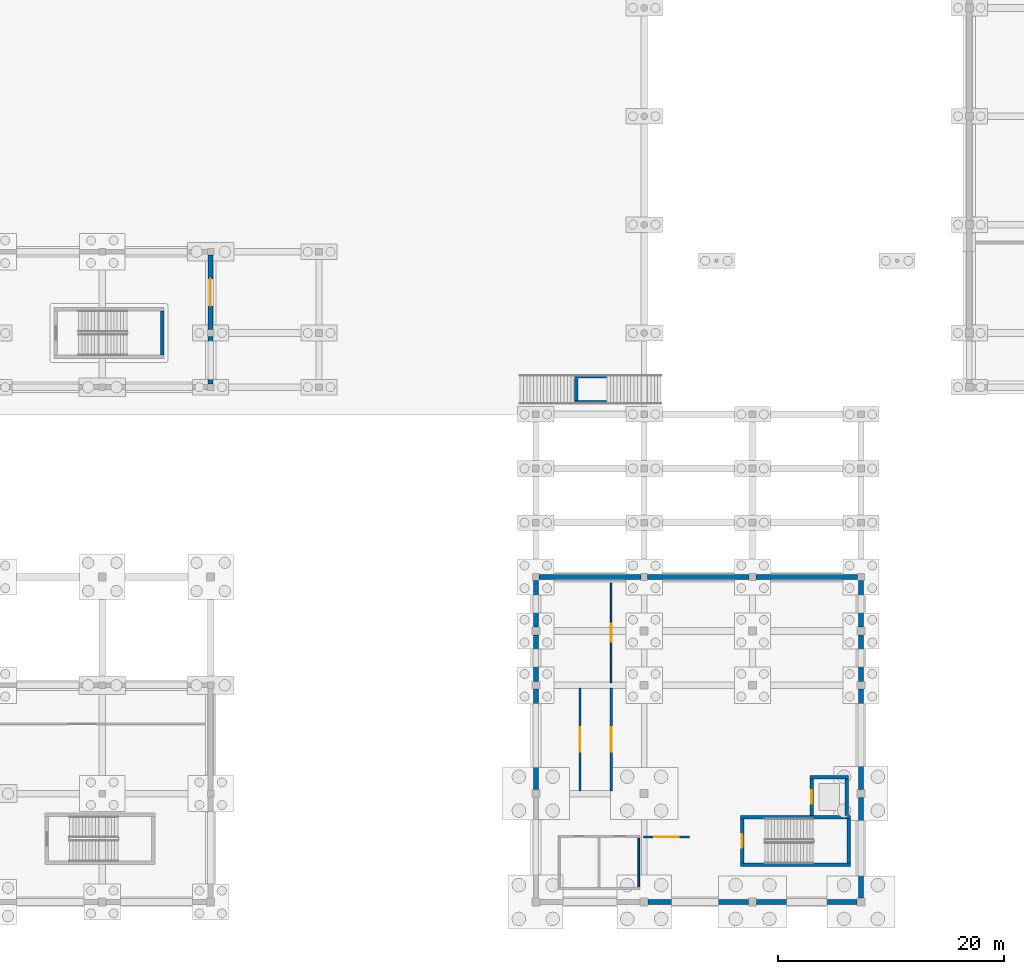
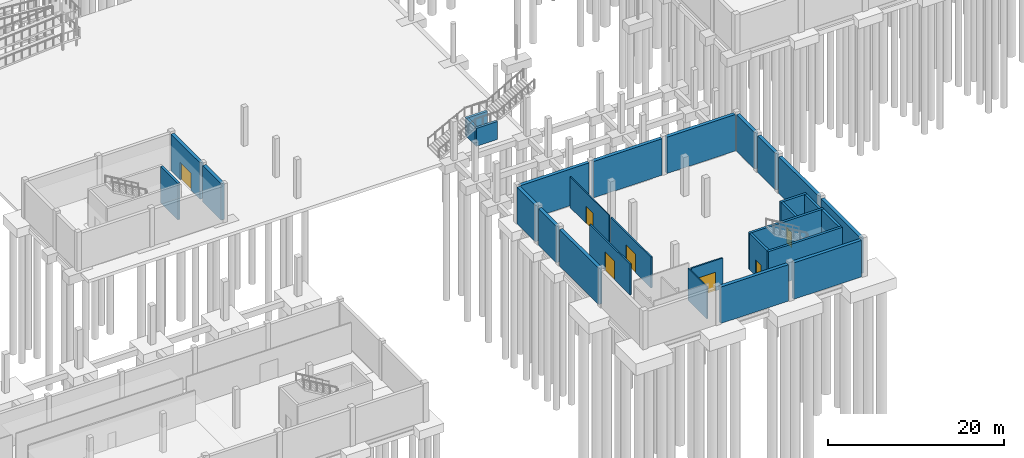
# One storey, part 24 of 41: 30 walls, 7 doors, 7 openings.
"""IFC4 building model written with IfcOpenShell, lengths in metres."""

from ifc_helpers import new_model, si_unit, direction, frame, frame_2d, origin, place, context, subcontext, project, spatial, rectangle, extrude, material, layer, layer_set, type_object, element, fill, save


model = new_model("IFC4")

# Units and contexts
model_context = context("Model", 3, precision=1e-05, world=origin(), true_north=direction((0.0, 1.0)))
body_context = subcontext(model_context, "Body", "Model", "MODEL_VIEW")
ifc_project = project(units=[si_unit("LENGTHUNIT", "METRE"), si_unit("AREAUNIT", "SQUARE_METRE"), si_unit("VOLUMEUNIT", "CUBIC_METRE"), si_unit("PLANEANGLEUNIT", "RADIAN"), si_unit("MASSUNIT", "GRAM", prefix="KILO")], contexts=[model_context])

# Site, building, storey
site_placement = place(None, origin())
site = spatial("IfcSite", under=ifc_project, at=site_placement, CompositionType="ELEMENT")
building_placement = place(site_placement, origin())
building = spatial("IfcBuilding", under=site, at=building_placement, Name="Shalvenor Court Art Gallery", CompositionType="ELEMENT")
storey_placement = place(building_placement, frame((0.0, 0.0, -5.39990234375)))
storey = spatial("IfcBuildingStorey", under=building, at=storey_placement, Name="B01", CompositionType="ELEMENT", Elevation=-5.39990234375)

# Walls
ifc_material_1 = material(Name="Concrete C40/50", Category="concrete")
ifc_layer_1 = layer(ifc_material_1, 0.31005859375, Name="Concrete C40/50")
ifc_layer_set_1 = layer_set([ifc_layer_1], Name="Concrete C40/50")
wall_type_1 = type_object("IfcWallType", Name="CW-W2", PredefinedType="SHEAR", material=ifc_layer_set_1)
wall_1_placement = place(storey_placement, frame((114.1279296875, 7.51708984375, 0.0), z_axis=(0.0, 0.0, 1.0), x_axis=(1.0, 0.0, 0.0)))
element("IfcWall", 1, at=wall_1_placement, inside=storey, type_object=wall_type_1, Name="B01 C4 Stair Core Shear Wall N", PredefinedType="SHEAR", context=body_context, shape_type="SweptSolid", body=[
    extrude(rectangle(XDim=9.744140625, YDim=0.31005859375, at=frame_2d((4.8720703125, 0.0))), origin(), (0.0, 0.0, 1.0), 5.059814453125),
])
wall_2_placement = place(storey_placement, frame((123.717041015625, 7.362060546875, 0.0), z_axis=(0.0, 0.0, 1.0), x_axis=(0.0, -1.0, 0.0)))
element("IfcWall", 2, at=wall_2_placement, inside=storey, type_object=wall_type_1, Name="B01 C4 Stair Core Shear Wall E", PredefinedType="SHEAR", context=body_context, shape_type="SweptSolid", body=[
    extrude(rectangle(XDim=3.924072265625, YDim=0.31005859375, at=frame_2d((1.9619140625, 0.0))), origin(), (0.0, 0.0, 1.0), 5.059814453125),
])
wall_3_placement = place(storey_placement, frame((123.8720703125, 3.282958984375, 0.0), z_axis=(0.0, 0.0, 1.0), x_axis=(-1.0, 0.0, 0.0)))
element("IfcWall", 3, at=wall_3_placement, inside=storey, type_object=wall_type_1, Name="B01 C4 Stair Core Shear Wall S", PredefinedType="SHEAR", context=body_context, shape_type="SweptSolid", body=[
    extrude(rectangle(XDim=9.744140625, YDim=0.31005859375, at=frame_2d((4.8720703125, 0.0))), origin(), (0.0, 0.0, 1.0), 5.059814453125),
])

# Wall, opening, door
wall_4_placement = place(storey_placement, frame((114.282958984375, 3.43798828125, 0.0), z_axis=(0.0, 0.0, 1.0), x_axis=(0.0, 1.0, 0.0)))
wall_4 = element("IfcWall", 4, at=wall_4_placement, inside=storey, type_object=wall_type_1, Name="B01 C4 Stair Core Shear Wall W", PredefinedType="SHEAR", context=body_context, shape_type="SweptSolid", body=[
    extrude(rectangle(XDim=3.924072265625, YDim=0.31005859375, at=frame_2d((1.9619140625, 0.0))), origin(), (0.0, 0.0, 1.0), 5.059814453125),
])
opening_1_placement = place(wall_4_placement, frame((1.362060546875, 0.0, 0.0)))
opening_1 = element("IfcOpeningElement", 5, at=opening_1_placement, cuts=wall_4, Name="Opening FD-01", PredefinedType="OPENING", context=body_context, shape_type="SweptSolid", body=[
    extrude(rectangle(XDim=1.199951171875, YDim=2.199951171875, at=frame_2d((0.60009765625, 1.10009765625))), frame((0.0, 0.1650390625, 0.0), z_axis=(0.0, -1.0, 0.0), x_axis=(1.0, 0.0, 0.0)), (0.0, 0.0, 1.0), 0.330078125),
])
ifc_material_2 = material(Name="Fire-rated steel stair doorset", Category="steel")
door_type_1 = type_object("IfcDoorType", Name="FD-01", OperationType="NOTDEFINED", PredefinedType="DOOR", material=ifc_material_2)
door_1_placement = place(opening_1_placement, origin())
door_1 = element("IfcDoor", 6, at=door_1_placement, inside=storey, type_object=door_type_1, Name="DR-ST-B01-C4 B01 ST-04 Fire Stair Door", OperationType="SINGLE_SWING_RIGHT", OverallHeight=2.199951171875, OverallWidth=1.199951171875, PredefinedType="DOOR", context=body_context, shape_type="SweptSolid", body=[
    extrude(rectangle(XDim=1.199951171875, YDim=2.199951171875, at=frame_2d((0.60009765625, 1.10009765625))), frame((0.0, 0.02490234375, 0.0), z_axis=(0.0, -1.0, 0.0), x_axis=(1.0, 0.0, 0.0)), (0.0, 0.0, 1.0), 0.050048828125),
])
fill(opening_1, door_1)

# Walls
wall_5_placement = place(storey_placement, frame((120.2900390625, 11.054931640625, 0.0), z_axis=(0.0, 0.0, 1.0), x_axis=(1.0, 0.0, 0.0)))
element("IfcWall", 7, at=wall_5_placement, inside=storey, type_object=wall_type_1, Name="B01 PL-02 Lift Shaft Wall N", PredefinedType="SHEAR", context=body_context, shape_type="SweptSolid", body=[
    extrude(rectangle(XDim=3.419921875, YDim=0.31005859375, at=frame_2d((1.7099609375, 0.0))), origin(), (0.0, 0.0, 1.0), 5.059814453125),
])
wall_6_placement = place(storey_placement, frame((123.554931640625, 10.89990234375, 0.0), z_axis=(0.0, 0.0, 1.0), x_axis=(0.0, -1.0, 0.0)))
element("IfcWall", 8, at=wall_6_placement, inside=storey, type_object=wall_type_1, Name="B01 PL-02 Lift Shaft Wall E", PredefinedType="SHEAR", context=body_context, shape_type="SweptSolid", body=[
    extrude(rectangle(XDim=3.227783203125, YDim=0.31005859375, at=frame_2d((1.61376953125, 0.0))), origin(), (0.0, 0.0, 1.0), 5.059814453125),
])

# Wall, opening, door
wall_7_placement = place(storey_placement, frame((120.445068359375, 7.672119140625, 0.0), z_axis=(0.0, 0.0, 1.0), x_axis=(0.0, 1.0, 0.0)))
wall_7 = element("IfcWall", 9, at=wall_7_placement, inside=storey, type_object=wall_type_1, Name="B01 PL-02 Lift Shaft Wall W", PredefinedType="SHEAR", context=body_context, shape_type="SweptSolid", body=[
    extrude(rectangle(XDim=3.227783203125, YDim=0.31005859375, at=frame_2d((1.61376953125, 0.0))), origin(), (0.0, 0.0, 1.0), 5.059814453125),
])
opening_2_placement = place(wall_7_placement, frame((1.013916015625, 0.0, 0.0)))
opening_2 = element("IfcOpeningElement", 10, at=opening_2_placement, cuts=wall_7, Name="Opening LD-02", PredefinedType="OPENING", context=body_context, shape_type="SweptSolid", body=[
    extrude(rectangle(XDim=1.199951171875, YDim=2.199951171875, at=frame_2d((0.60009765625, 1.10009765625))), frame((0.0, 0.1650390625, 0.0), z_axis=(0.0, -1.0, 0.0), x_axis=(1.0, 0.0, 0.0)), (0.0, 0.0, 1.0), 0.330078125),
])
ifc_material_3 = material(Name="Brushed stainless passenger lift sliding landing door", Category="steel")
door_type_2 = type_object("IfcDoorType", Name="LD-02", OperationType="NOTDEFINED", PredefinedType="DOOR", material=ifc_material_3)
door_2_placement = place(opening_2_placement, origin())
door_2 = element("IfcDoor", 11, at=door_2_placement, inside=storey, type_object=door_type_2, Name="DR-LD-B01-PL-02 B01 PL-02 Lift Landing Sliding Door", OperationType="DOUBLE_DOOR_SLIDING", OverallHeight=2.199951171875, OverallWidth=1.199951171875, PredefinedType="DOOR", context=body_context, shape_type="SweptSolid", body=[
    extrude(rectangle(XDim=1.199951171875, YDim=2.199951171875, at=frame_2d((0.60009765625, 1.10009765625))), frame((0.0, 0.02490234375, 0.0), z_axis=(0.0, -1.0, 0.0), x_axis=(1.0, 0.0, 0.0)), (0.0, 0.0, 1.0), 0.050048828125),
])
fill(opening_2, door_2)

# Walls
wall_8_placement = place(storey_placement, frame((62.9169921875, 52.362060546875, 0.0), z_axis=(0.0, 0.0, 1.0), x_axis=(0.0, -1.0, 0.0)))
element("IfcWall", 12, at=wall_8_placement, inside=storey, type_object=wall_type_1, Name="B01 C10 Stair Core Shear Wall E", PredefinedType="SHEAR", context=body_context, shape_type="SweptSolid", body=[
    extrude(rectangle(XDim=3.924072265625, YDim=0.31005859375, at=frame_2d((1.9619140625, 0.0))), origin(), (0.0, 0.0, 1.0), 5.059814453125),
])
ifc_material_4 = material(Name="Concrete C40/50", Category="concrete")
ifc_layer_2 = layer(ifc_material_4, 0.31005859375, Name="Concrete C40/50")
ifc_layer_set_2 = layer_set([ifc_layer_2], Name="Concrete C40/50")
wall_type_2 = type_object("IfcWallType", Name="CW-W4", PredefinedType="SHEAR", material=ifc_layer_set_2)
for number, where, z_axis, x_axis, name in (
    (13, (99.449951171875, 44.25, 0.0), (0.0, 0.0, 1.0), (1.0, 0.0, 0.0), "B01 ST-T1 Terrace Stair Support Pier S"),
    (14, (102.25, 46.550048828125, 0.0), (0.0, 0.0, 1.0), (-1.0, 0.0, 0.0), "B01 ST-T1 Terrace Stair Support Pier N"),
):
    element("IfcWall", number, at=place(storey_placement, frame(where, z_axis=z_axis, x_axis=x_axis)), inside=storey, type_object=wall_type_2, Name=name, PredefinedType="SHEAR", context=body_context, shape_type="SweptSolid", body=[
        extrude(rectangle(XDim=2.800048828125, YDim=0.31005859375, at=frame_2d((1.39990234375, 0.0))), origin(), (0.0, 0.0, 1.0), 2.48486328125),
    ])
wall_9_placement = place(storey_placement, frame((99.60009765625, 44.419921875, 0.0), z_axis=(0.0, 0.0, 1.0), x_axis=(0.0, 1.0, 0.0)))
element("IfcWall", 15, at=wall_9_placement, inside=storey, type_object=wall_type_2, Name="B01 ST-T1 Terrace Stair Support Pier W", PredefinedType="SHEAR", context=body_context, shape_type="SweptSolid", body=[
    extrude(rectangle(XDim=1.9599609375, YDim=0.31005859375, at=frame_2d((0.97998046875, 0.0))), origin(), (0.0, 0.0, 1.0), 2.48486328125),
])
ifc_material_5 = material(Name="Moisture-resistant sanitary partition", Category="other")
ifc_layer_3 = layer(ifc_material_5, 0.14990234375, Name="Moisture-resistant sanitary partition")
ifc_layer_set_3 = layer_set([ifc_layer_3], Name="Moisture-resistant sanitary partition")
wall_type_3 = type_object("IfcWallType", Name="PT-03", PredefinedType="PARTITIONING", material=ifc_layer_set_3)
wall_10_placement = place(storey_placement, frame((105.125, 1.360107421875, 0.0), z_axis=(0.0, 0.0, 1.0), x_axis=(0.0, 1.0, 0.0)))
element("IfcWall", 16, at=wall_10_placement, inside=storey, type_object=wall_type_3, Name="B01 C4 Restroom Partition R", PredefinedType="PARTITIONING", context=body_context, shape_type="SweptSolid", body=[
    extrude(rectangle(XDim=4.27978515625, YDim=0.14990234375, at=frame_2d((2.139892578125, 0.0))), origin(), (0.0, 0.0, 1.0), 4.434814453125),
])

# Wall, opening, door
ifc_material_6 = material(Name="Insulated studio acoustic partition", Category="other")
ifc_layer_4 = layer(ifc_material_6, 0.135009765625, Name="Insulated studio acoustic partition")
ifc_layer_set_4 = layer_set([ifc_layer_4], Name="Insulated studio acoustic partition")
wall_type_4 = type_object("IfcWallType", Name="PT-04", PredefinedType="PARTITIONING", material=ifc_layer_set_4)
wall_11_placement = place(storey_placement, frame((102.679931640625, 19.429931640625, 0.0), z_axis=(0.0, 0.0, 1.0), x_axis=(0.0, 1.0, 0.0)))
wall_11 = element("IfcWall", 17, at=wall_11_placement, inside=storey, type_object=wall_type_4, Name="B01 Mechanical Plant Room Partition 583", PredefinedType="PARTITIONING", context=body_context, shape_type="SweptSolid", body=[
    extrude(rectangle(XDim=8.820068359375, YDim=0.135009765625, at=frame_2d((4.41015625, 0.0))), origin(), (0.0, 0.0, 1.0), 4.284912109375),
])
opening_3_placement = place(wall_11_placement, frame((3.610107421875, 0.0, 0.0)))
opening_3 = element("IfcOpeningElement", 18, at=opening_3_placement, cuts=wall_11, Name="Opening ID-02", PredefinedType="OPENING", context=body_context, shape_type="SweptSolid", body=[
    extrude(rectangle(XDim=1.60009765625, YDim=2.35009765625, at=frame_2d((0.800048828125, 1.175048828125))), frame((0.0, 0.077392578125, 0.0), z_axis=(0.0, -1.0, 0.0), x_axis=(1.0, 0.0, 0.0)), (0.0, 0.0, 1.0), 0.155029296875),
])
ifc_material_7 = material(Name="Oak-veneered gallery double doorset", Category="wood")
door_type_3 = type_object("IfcDoorType", Name="ID-02", OperationType="NOTDEFINED", PredefinedType="DOOR", material=ifc_material_7)
door_3_placement = place(opening_3_placement, origin())
door_3 = element("IfcDoor", 19, at=door_3_placement, inside=storey, type_object=door_type_3, Name="DR-RM-B01-0114 B01 Mechanical Plant Room Door", OperationType="DOUBLE_DOOR_SINGLE_SWING", OverallHeight=2.35009765625, OverallWidth=1.60009765625, PredefinedType="DOOR", context=body_context, shape_type="SweptSolid", body=[
    extrude(rectangle(XDim=1.60009765625, YDim=2.35009765625, at=frame_2d((0.800048828125, 1.175048828125))), frame((0.0, 0.02490234375, 0.0), z_axis=(0.0, -1.0, 0.0), x_axis=(1.0, 0.0, 0.0)), (0.0, 0.0, 1.0), 0.050048828125),
])
fill(opening_3, door_3)

# Walls
ifc_material_8 = material(Name="Concrete C40/50", Category="concrete")
ifc_layer_5 = layer(ifc_material_8, 0.43994140625, Name="Concrete C40/50")
ifc_layer_set_5 = layer_set([ifc_layer_5], Name="Concrete C40/50")
wall_type_5 = type_object("IfcWallType", Name="RW-02", PredefinedType="USERDEFINED", material=ifc_layer_set_5)
for number, where, z_axis, x_axis, name in (
    (20, (96.300048828125, 28.800048828125, 0.0), (0.0, 0.0, 1.0), (1.0, 0.0, 0.0), "B01 Retaining Wall WL-B01-0164"),
    (21, (105.89990234375, 28.800048828125, 0.0), (0.0, 0.0, 1.0), (1.0, 0.0, 0.0), "B01 Retaining Wall WL-B01-0165"),
    (22, (115.5, 28.800048828125, 0.0), (0.0, 0.0, 1.0), (1.0, 0.0, 0.0), "B01 Retaining Wall WL-B01-0166"),
):
    element("IfcWall", number, at=place(storey_placement, frame(where, z_axis=z_axis, x_axis=x_axis)), inside=storey, type_object=wall_type_5, Name=name, ObjectType="RETAINING WALL", PredefinedType="USERDEFINED", context=body_context, shape_type="SweptSolid", body=[
        extrude(rectangle(XDim=9.0, YDim=0.43994140625, at=frame_2d((4.5, 0.0))), origin(), (0.0, 0.0, 1.0), 5.059814453125),
    ])
wall_12_placement = place(storey_placement, frame((124.800048828125, 28.5, 0.0), z_axis=(0.0, 0.0, 1.0), x_axis=(0.0, -1.0, 0.0)))
element("IfcWall", 23, at=wall_12_placement, inside=storey, type_object=wall_type_5, Name="B01 Retaining Wall WL-B01-0167", ObjectType="RETAINING WALL", PredefinedType="USERDEFINED", context=body_context, shape_type="SweptSolid", body=[
    extrude(rectangle(XDim=4.14990234375, YDim=0.43994140625, at=frame_2d((2.074951171875, 0.0))), origin(), (0.0, 0.0, 1.0), 5.059814453125),
])
wall_13_placement = place(storey_placement, frame((124.800048828125, 23.64990234375, 0.0), z_axis=(0.0, 0.0, 1.0), x_axis=(0.0, -1.0, 0.0)))
element("IfcWall", 24, at=wall_13_placement, inside=storey, type_object=wall_type_5, Name="B01 Retaining Wall WL-B01-0168", ObjectType="RETAINING WALL", PredefinedType="USERDEFINED", context=body_context, shape_type="SweptSolid", body=[
    extrude(rectangle(XDim=4.099853515625, YDim=0.43994140625, at=frame_2d((2.0498046875, 0.0))), origin(), (0.0, 0.0, 1.0), 5.059814453125),
])
wall_14_placement = place(storey_placement, frame((124.800048828125, 18.85009765625, 0.0), z_axis=(0.0, 0.0, 1.0), x_axis=(0.0, -1.0, 0.0)))
element("IfcWall", 25, at=wall_14_placement, inside=storey, type_object=wall_type_5, Name="B01 Retaining Wall WL-B01-0169", ObjectType="RETAINING WALL", PredefinedType="USERDEFINED", context=body_context, shape_type="SweptSolid", body=[
    extrude(rectangle(XDim=8.900146484375, YDim=0.43994140625, at=frame_2d((4.4501953125, 0.0))), origin(), (0.0, 0.0, 1.0), 5.059814453125),
])
for number, where, z_axis, x_axis, name in (
    (26, (124.800048828125, 9.25, 0.0), (0.0, 0.0, 1.0), (0.0, -1.0, 0.0), "B01 Retaining Wall WL-B01-0170"),
    (27, (124.449951171875, 0.0, 0.0), (0.0, 0.0, 1.0), (-1.0, 0.0, 0.0), "B01 Retaining Wall WL-B01-0171"),
):
    element("IfcWall", number, at=place(storey_placement, frame(where, z_axis=z_axis, x_axis=x_axis)), inside=storey, type_object=wall_type_5, Name=name, ObjectType="RETAINING WALL", PredefinedType="USERDEFINED", context=body_context, shape_type="SweptSolid", body=[
        extrude(rectangle(XDim=8.89990234375, YDim=0.43994140625, at=frame_2d((4.449951171875, 0.0))), origin(), (0.0, 0.0, 1.0), 5.059814453125),
    ])
for number, where, z_axis, x_axis, name in (
    (28, (114.85009765625, 0.0, 0.0), (0.0, 0.0, 1.0), (-1.0, 0.0, 0.0), "B01 Retaining Wall WL-B01-0172"),
    (29, (96.0, 9.949951171875, 0.0), (0.0, 0.0, 1.0), (0.0, 1.0, 0.0), "B01 Retaining Wall WL-B01-0175"),
):
    element("IfcWall", number, at=place(storey_placement, frame(where, z_axis=z_axis, x_axis=x_axis)), inside=storey, type_object=wall_type_5, Name=name, ObjectType="RETAINING WALL", PredefinedType="USERDEFINED", context=body_context, shape_type="SweptSolid", body=[
        extrude(rectangle(XDim=8.900146484375, YDim=0.43994140625, at=frame_2d((4.4501953125, 0.0))), origin(), (0.0, 0.0, 1.0), 5.059814453125),
    ])
wall_15_placement = place(storey_placement, frame((96.0, 19.550048828125, 0.0), z_axis=(0.0, 0.0, 1.0), x_axis=(0.0, 1.0, 0.0)))
element("IfcWall", 30, at=wall_15_placement, inside=storey, type_object=wall_type_5, Name="B01 Retaining Wall WL-B01-0176", ObjectType="RETAINING WALL", PredefinedType="USERDEFINED", context=body_context, shape_type="SweptSolid", body=[
    extrude(rectangle(XDim=4.099853515625, YDim=0.43994140625, at=frame_2d((2.0498046875, 0.0))), origin(), (0.0, 0.0, 1.0), 5.059814453125),
])
wall_16_placement = place(storey_placement, frame((96.0, 24.35009765625, 0.0), z_axis=(0.0, 0.0, 1.0), x_axis=(0.0, 1.0, 0.0)))
element("IfcWall", 31, at=wall_16_placement, inside=storey, type_object=wall_type_5, Name="B01 Retaining Wall WL-B01-0177", ObjectType="RETAINING WALL", PredefinedType="USERDEFINED", context=body_context, shape_type="SweptSolid", body=[
    extrude(rectangle(XDim=4.14990234375, YDim=0.43994140625, at=frame_2d((2.074951171875, 0.0))), origin(), (0.0, 0.0, 1.0), 5.059814453125),
])

# Wall, opening, door
wall_17_placement = place(storey_placement, frame((67.199951171875, 57.300048828125, 0.0), z_axis=(0.0, 0.0, 1.0), x_axis=(0.0, -1.0, 0.0)))
wall_17 = element("IfcWall", 32, at=wall_17_placement, inside=storey, type_object=wall_type_5, Name="B01 Retaining Wall WL-B01-0322", ObjectType="RETAINING WALL", PredefinedType="USERDEFINED", context=body_context, shape_type="SweptSolid", body=[
    extrude(rectangle(XDim=6.60009765625, YDim=0.43994140625, at=frame_2d((3.300048828125, 0.0))), origin(), (0.0, 0.0, 1.0), 5.059814453125),
])
opening_4_placement = place(wall_17_placement, frame((2.10009765625, 0.0, 0.0)))
opening_4 = element("IfcOpeningElement", 33, at=opening_4_placement, cuts=wall_17, Name="Opening ED-02", PredefinedType="OPENING", context=body_context, shape_type="SweptSolid", body=[
    extrude(rectangle(XDim=2.39990234375, YDim=2.39990234375, at=frame_2d((1.199951171875, 1.199951171875))), frame((0.0, 0.22998046875, 0.0), z_axis=(0.0, -1.0, 0.0), x_axis=(1.0, 0.0, 0.0)), (0.0, 0.0, 1.0), 0.4599609375),
])
ifc_material_9 = material(Name="Anodised bronze glazed exit doorset", Category="aluminium")
door_type_4 = type_object("IfcDoorType", Name="ED-02", OperationType="NOTDEFINED", PredefinedType="DOOR", material=ifc_material_9)
door_4_placement = place(opening_4_placement, origin())
door_4 = element("IfcDoor", 34, at=door_4_placement, inside=storey, type_object=door_type_4, Name="DR-B01-SC-58 B01 Metro Forecourt Entrance Door", OperationType="DOUBLE_DOOR_SINGLE_SWING", OverallHeight=2.39990234375, OverallWidth=2.39990234375, PredefinedType="DOOR", context=body_context, shape_type="SweptSolid", body=[
    extrude(rectangle(XDim=2.39990234375, YDim=2.39990234375, at=frame_2d((1.199951171875, 1.199951171875))), frame((0.0, 0.02490234375, 0.0), z_axis=(0.0, -1.0, 0.0), x_axis=(1.0, 0.0, 0.0)), (0.0, 0.0, 1.0), 0.050048828125),
])
fill(opening_4, door_4)

# Wall
wall_18_placement = place(storey_placement, frame((67.199951171875, 50.10009765625, 0.0), z_axis=(0.0, 0.0, 1.0), x_axis=(0.0, -1.0, 0.0)))
element("IfcWall", 35, at=wall_18_placement, inside=storey, type_object=wall_type_5, Name="B01 Retaining Wall WL-B01-0323", ObjectType="RETAINING WALL", PredefinedType="USERDEFINED", context=body_context, shape_type="SweptSolid", body=[
    extrude(rectangle(XDim=4.2001953125, YDim=0.43994140625, at=frame_2d((2.10009765625, 0.0))), origin(), (0.0, 0.0, 1.0), 5.059814453125),
])

# Wall, opening, door
ifc_material_10 = material(Name="Concrete blockwork vault fire wall", Category="masonry")
ifc_layer_6 = layer(ifc_material_10, 0.195068359375, Name="Concrete blockwork vault fire wall")
ifc_layer_set_6 = layer_set([ifc_layer_6], Name="Concrete blockwork vault fire wall")
wall_type_6 = type_object("IfcWallType", Name="VW-01", PredefinedType="PARTITIONING", material=ifc_layer_set_6)
wall_19_placement = place(storey_placement, frame((105.530029296875, 5.77001953125, 0.0), z_axis=(0.0, 0.0, 1.0), x_axis=(1.0, 0.0, 0.0)))
wall_19 = element("IfcWall", 36, at=wall_19_placement, inside=storey, type_object=wall_type_6, Name="B01 Sculpture Crate Acclimatisation Hall Partition 580", PredefinedType="PARTITIONING", context=body_context, shape_type="SweptSolid", body=[
    extrude(rectangle(XDim=4.099853515625, YDim=0.195068359375, at=frame_2d((2.0498046875, 0.0))), origin(), (0.0, 0.0, 1.0), 4.23486328125),
])
opening_5_placement = place(wall_19_placement, frame((0.949951171875, 0.0, 0.0)))
opening_5 = element("IfcOpeningElement", 37, at=opening_5_placement, cuts=wall_19, Name="Opening VD-01", PredefinedType="OPENING", context=body_context, shape_type="SweptSolid", body=[
    extrude(rectangle(XDim=2.199951171875, YDim=2.60009765625, at=frame_2d((1.10009765625, 1.300048828125))), frame((0.0, 0.107421875, 0.0), z_axis=(0.0, -1.0, 0.0), x_axis=(1.0, 0.0, 0.0)), (0.0, 0.0, 1.0), 0.215087890625),
])
ifc_material_11 = material(Name="Insulated steel art-vault double doorset", Category="steel")
door_type_5 = type_object("IfcDoorType", Name="VD-01", OperationType="NOTDEFINED", PredefinedType="DOOR", material=ifc_material_11)
door_5_placement = place(opening_5_placement, origin())
door_5 = element("IfcDoor", 38, at=door_5_placement, inside=storey, type_object=door_type_5, Name="DR-RM-B01-0111 B01 Sculpture Crate Acclimatisation Hall Door", OperationType="DOUBLE_DOOR_SINGLE_SWING", OverallHeight=2.60009765625, OverallWidth=2.199951171875, PredefinedType="DOOR", context=body_context, shape_type="SweptSolid", body=[
    extrude(rectangle(XDim=2.199951171875, YDim=2.60009765625, at=frame_2d((1.10009765625, 1.300048828125))), frame((0.0, 0.02490234375, 0.0), z_axis=(0.0, -1.0, 0.0), x_axis=(1.0, 0.0, 0.0)), (0.0, 0.0, 1.0), 0.050048828125),
])
fill(opening_5, door_5)

wall_20_placement = place(storey_placement, frame((102.679931640625, 9.830078125, 0.0), z_axis=(0.0, 0.0, 1.0), x_axis=(0.0, 1.0, 0.0)))
wall_20 = element("IfcWall", 39, at=wall_20_placement, inside=storey, type_object=wall_type_6, Name="B01 Art Vault Storage Partition 581", PredefinedType="PARTITIONING", context=body_context, shape_type="SweptSolid", body=[
    extrude(rectangle(XDim=9.139892578125, YDim=0.195068359375, at=frame_2d((4.56982421875, 0.0))), origin(), (0.0, 0.0, 1.0), 4.284912109375),
])
opening_6_placement = place(wall_20_placement, frame((3.469970703125, 0.0, 0.0)))
opening_6 = element("IfcOpeningElement", 40, at=opening_6_placement, cuts=wall_20, Name="Opening VD-01", PredefinedType="OPENING", context=body_context, shape_type="SweptSolid", body=[
    extrude(rectangle(XDim=2.199951171875, YDim=2.60009765625, at=frame_2d((1.10009765625, 1.300048828125))), frame((0.0, 0.107421875, 0.0), z_axis=(0.0, -1.0, 0.0), x_axis=(1.0, 0.0, 0.0)), (0.0, 0.0, 1.0), 0.215087890625),
])
door_6_placement = place(opening_6_placement, origin())
door_6 = element("IfcDoor", 41, at=door_6_placement, inside=storey, type_object=door_type_5, Name="DR-RM-B01-0112 B01 Art Vault Storage Door", OperationType="DOUBLE_DOOR_SINGLE_SWING", OverallHeight=2.60009765625, OverallWidth=2.199951171875, PredefinedType="DOOR", context=body_context, shape_type="SweptSolid", body=[
    extrude(rectangle(XDim=2.199951171875, YDim=2.60009765625, at=frame_2d((1.10009765625, 1.300048828125))), frame((0.0, 0.02490234375, 0.0), z_axis=(0.0, -1.0, 0.0), x_axis=(1.0, 0.0, 0.0)), (0.0, 0.0, 1.0), 0.050048828125),
])
fill(opening_6, door_6)

wall_21_placement = place(storey_placement, frame((99.919921875, 18.969970703125, 0.0), z_axis=(0.0, 0.0, 1.0), x_axis=(0.0, -1.0, 0.0)))
wall_21 = element("IfcWall", 42, at=wall_21_placement, inside=storey, type_object=wall_type_6, Name="B01 Art Vault Storage Wing B Partition 582", PredefinedType="PARTITIONING", context=body_context, shape_type="SweptSolid", body=[
    extrude(rectangle(XDim=9.139892578125, YDim=0.195068359375, at=frame_2d((4.56982421875, 0.0))), origin(), (0.0, 0.0, 1.0), 4.284912109375),
])
opening_7_placement = place(wall_21_placement, frame((3.469970703125, 0.0, 0.0)))
opening_7 = element("IfcOpeningElement", 43, at=opening_7_placement, cuts=wall_21, Name="Opening VD-01", PredefinedType="OPENING", context=body_context, shape_type="SweptSolid", body=[
    extrude(rectangle(XDim=2.199951171875, YDim=2.60009765625, at=frame_2d((1.10009765625, 1.300048828125))), frame((0.0, 0.107421875, 0.0), z_axis=(0.0, -1.0, 0.0), x_axis=(1.0, 0.0, 0.0)), (0.0, 0.0, 1.0), 0.215087890625),
])
door_7_placement = place(opening_7_placement, origin())
door_7 = element("IfcDoor", 44, at=door_7_placement, inside=storey, type_object=door_type_5, Name="DR-RM-B01-0113 B01 Art Vault Storage Wing B Door", OperationType="DOUBLE_DOOR_SINGLE_SWING", OverallHeight=2.60009765625, OverallWidth=2.199951171875, PredefinedType="DOOR", context=body_context, shape_type="SweptSolid", body=[
    extrude(rectangle(XDim=2.199951171875, YDim=2.60009765625, at=frame_2d((1.10009765625, 1.300048828125))), frame((0.0, 0.02490234375, 0.0), z_axis=(0.0, -1.0, 0.0), x_axis=(1.0, 0.0, 0.0)), (0.0, 0.0, 1.0), 0.050048828125),
])
fill(opening_7, door_7)

save(model, "model.ifc")
